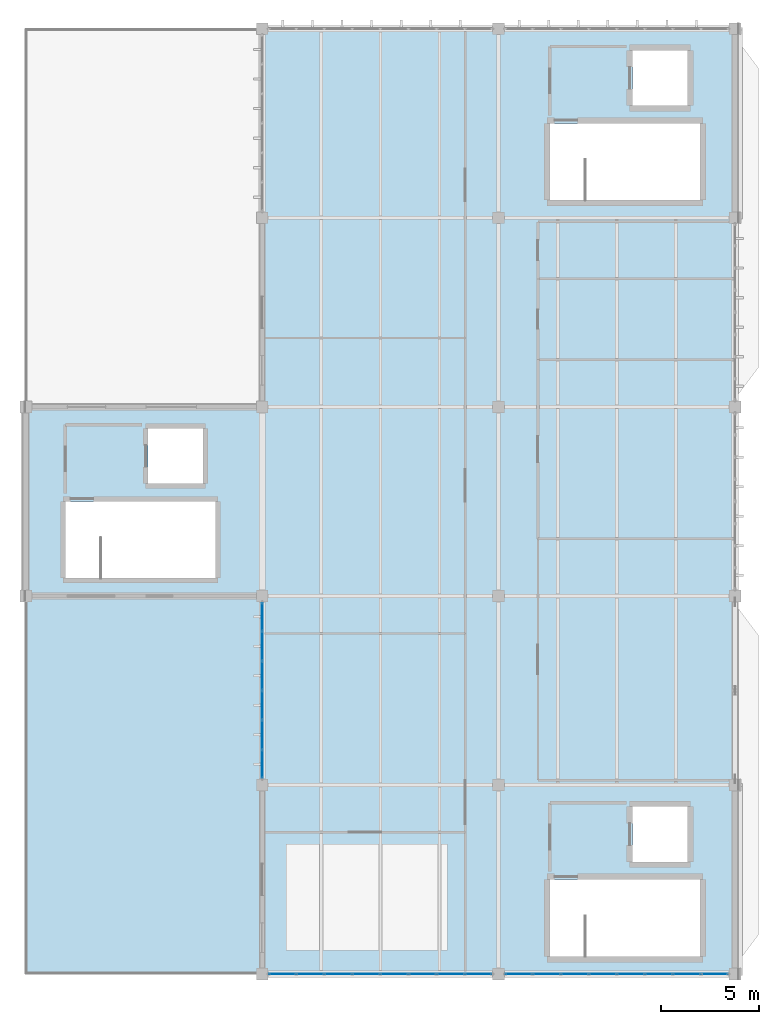
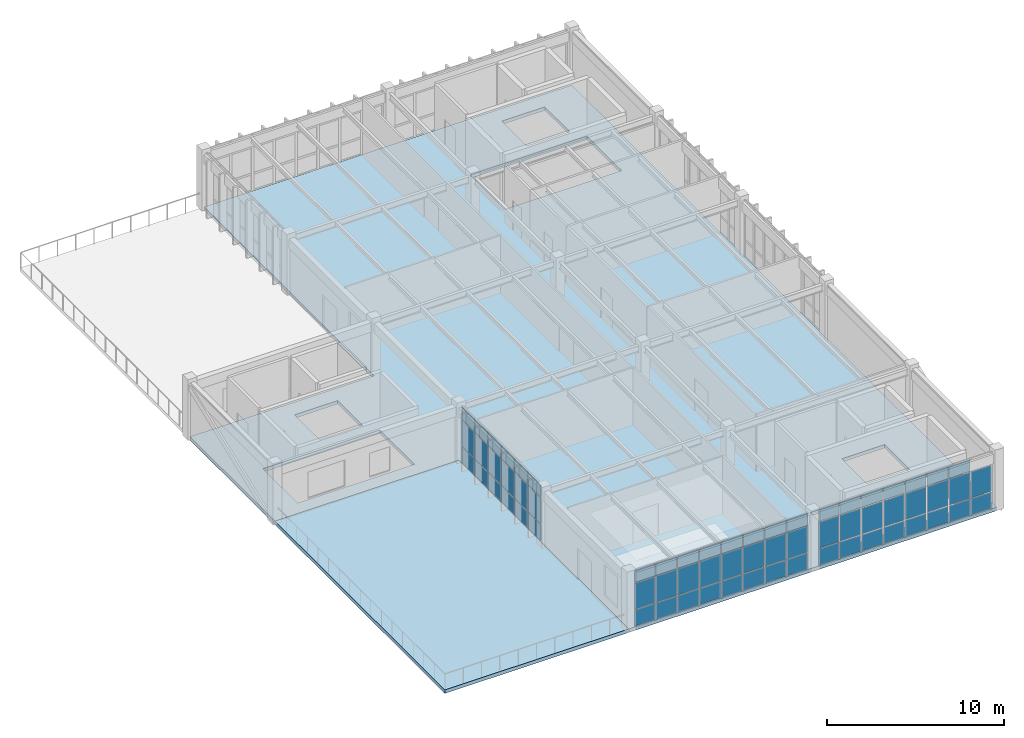
# One storey, part 20 of 28: 65 plates, 2 slabs, 3 elements without a shape of their own.
"""IFC4 building model written with IfcOpenShell, lengths in metres."""

from ifc_helpers import new_model, si_unit, direction, frame, origin, origin_2d, place, context, subcontext, project, spatial, polyline, rectangle, outline, extrude, material, layer, layer_set, type_object, element, aggregate, save


model = new_model("IFC4")

# Units and contexts
model_context = context("Model", 3, precision=1e-05, world=origin(), true_north=direction((0.0, 1.0)))
body_context = subcontext(model_context, "Body", "Model", "MODEL_VIEW")
ifc_project = project(units=[si_unit("LENGTHUNIT", "METRE"), si_unit("AREAUNIT", "SQUARE_METRE"), si_unit("VOLUMEUNIT", "CUBIC_METRE"), si_unit("PLANEANGLEUNIT", "RADIAN"), si_unit("MASSUNIT", "GRAM", prefix="KILO")], contexts=[model_context])

# Site, building, storey
site_placement = place(None, origin())
site = spatial("IfcSite", under=ifc_project, at=site_placement, CompositionType="ELEMENT")
building_placement = place(site_placement, origin())
building = spatial("IfcBuilding", under=site, at=building_placement, Name="Pandanus Reach Market Hall", CompositionType="ELEMENT")
storey_placement = place(building_placement, frame((0.0, 0.0, 18.60009765625)))
storey = spatial("IfcBuildingStorey", under=building, at=storey_placement, Name="L04", CompositionType="ELEMENT", Elevation=18.60009765625)

# Curtain wall, plates
ifc_material_1 = material(Name="Bronze anodised aluminium and low-E glass", Category="aluminium")
ifc_layer_1 = layer(ifc_material_1, 0.159912109375, Name="CW-35")
ifc_layer_set_1 = layer_set([ifc_layer_1], Name="Bronze anodised aluminium and low-E glass")
curtain_wall_type_1 = type_object("IfcCurtainWallType", Name="CW-35", PredefinedType="NOTDEFINED", material=ifc_layer_set_1)
curtain_wall_1_placement = place(storey_placement, origin())
curtain_wall_1 = element("IfcCurtainWall", 1, at=curtain_wall_1_placement, inside=storey, type_object=curtain_wall_type_1, Name="Glazed curtain wall CW-35 CW-0127", PredefinedType="NOTDEFINED")
ifc_material_2 = material(Name="Solar-control double glazing", Category="glass")
ifc_layer_2 = layer(ifc_material_2, 0.028076171875, Name="CW-P1")
ifc_layer_set_2 = layer_set([ifc_layer_2], Name="Solar-control double glazing")
plate_type = type_object("IfcPlateType", Name="CW-P1", PredefinedType="CURTAIN_PANEL", material=ifc_layer_set_2)
plate_1_placement = place(storey_placement, frame((157.02880859375, 28.800048828125, 0.06494140625), z_axis=(0.0, 0.0, 1.0), x_axis=(1.0, 0.0, 0.0)))
plate_1 = element("IfcPlate", 2, at=plate_1_placement, type_object=plate_type, Name="CW-35 panel 1.1", PredefinedType="CURTAIN_PANEL", context=body_context, shape_type="SweptSolid", body=[
    extrude(rectangle(XDim=1.327392578125, YDim=0.028076171875, at=origin_2d()), origin(), (0.0, 0.0, 1.0), 1.1025390625),
])
plate_2_placement = place(storey_placement, frame((157.02880859375, 28.800048828125, 1.232421875), z_axis=(0.0, 0.0, 1.0), x_axis=(1.0, 0.0, 0.0)))
plate_2 = element("IfcPlate", 3, at=plate_2_placement, type_object=plate_type, Name="CW-35 panel 1.2", PredefinedType="CURTAIN_PANEL", context=body_context, shape_type="SweptSolid", body=[
    extrude(rectangle(XDim=1.327392578125, YDim=0.028076171875, at=origin_2d()), origin(), (0.0, 0.0, 1.0), 1.784912109375),
])
plate_3_placement = place(storey_placement, frame((157.02880859375, 28.800048828125, 3.08251953125), z_axis=(0.0, 0.0, 1.0), x_axis=(1.0, 0.0, 0.0)))
plate_3 = element("IfcPlate", 4, at=plate_3_placement, type_object=plate_type, Name="CW-35 panel 1.3", PredefinedType="CURTAIN_PANEL", context=body_context, shape_type="SweptSolid", body=[
    extrude(rectangle(XDim=1.327392578125, YDim=0.028076171875, at=origin_2d()), origin(), (0.0, 0.0, 1.0), 0.802490234375),
])
plate_4_placement = place(storey_placement, frame((158.4375, 28.800048828125, 0.06494140625), z_axis=(0.0, 0.0, 1.0), x_axis=(1.0, 0.0, 0.0)))
plate_4 = element("IfcPlate", 5, at=plate_4_placement, type_object=plate_type, Name="CW-35 panel 2.1", PredefinedType="CURTAIN_PANEL", context=body_context, shape_type="SweptSolid", body=[
    extrude(rectangle(XDim=1.360107421875, YDim=0.028076171875, at=origin_2d()), origin(), (0.0, 0.0, 1.0), 1.1025390625),
])
plate_5_placement = place(storey_placement, frame((158.4375, 28.800048828125, 1.232421875), z_axis=(0.0, 0.0, 1.0), x_axis=(1.0, 0.0, 0.0)))
plate_5 = element("IfcPlate", 6, at=plate_5_placement, type_object=plate_type, Name="CW-35 panel 2.2", PredefinedType="CURTAIN_PANEL", context=body_context, shape_type="SweptSolid", body=[
    extrude(rectangle(XDim=1.360107421875, YDim=0.028076171875, at=origin_2d()), origin(), (0.0, 0.0, 1.0), 1.784912109375),
])
plate_6_placement = place(storey_placement, frame((158.4375, 28.800048828125, 3.08251953125), z_axis=(0.0, 0.0, 1.0), x_axis=(1.0, 0.0, 0.0)))
plate_6 = element("IfcPlate", 7, at=plate_6_placement, type_object=plate_type, Name="CW-35 panel 2.3", PredefinedType="CURTAIN_PANEL", context=body_context, shape_type="SweptSolid", body=[
    extrude(rectangle(XDim=1.360107421875, YDim=0.028076171875, at=origin_2d()), origin(), (0.0, 0.0, 1.0), 0.802490234375),
])
plate_7_placement = place(storey_placement, frame((159.862548828125, 28.800048828125, 0.06494140625), z_axis=(0.0, 0.0, 1.0), x_axis=(1.0, 0.0, 0.0)))
plate_7 = element("IfcPlate", 8, at=plate_7_placement, type_object=plate_type, Name="CW-35 panel 3.1", PredefinedType="CURTAIN_PANEL", context=body_context, shape_type="SweptSolid", body=[
    extrude(rectangle(XDim=1.360107421875, YDim=0.028076171875, at=origin_2d()), origin(), (0.0, 0.0, 1.0), 1.1025390625),
])
plate_8_placement = place(storey_placement, frame((159.862548828125, 28.800048828125, 1.232421875), z_axis=(0.0, 0.0, 1.0), x_axis=(1.0, 0.0, 0.0)))
plate_8 = element("IfcPlate", 9, at=plate_8_placement, type_object=plate_type, Name="CW-35 panel 3.2", PredefinedType="CURTAIN_PANEL", context=body_context, shape_type="SweptSolid", body=[
    extrude(rectangle(XDim=1.360107421875, YDim=0.028076171875, at=origin_2d()), origin(), (0.0, 0.0, 1.0), 1.784912109375),
])
plate_9_placement = place(storey_placement, frame((159.862548828125, 28.800048828125, 3.08251953125), z_axis=(0.0, 0.0, 1.0), x_axis=(1.0, 0.0, 0.0)))
plate_9 = element("IfcPlate", 10, at=plate_9_placement, type_object=plate_type, Name="CW-35 panel 3.3", PredefinedType="CURTAIN_PANEL", context=body_context, shape_type="SweptSolid", body=[
    extrude(rectangle(XDim=1.360107421875, YDim=0.028076171875, at=origin_2d()), origin(), (0.0, 0.0, 1.0), 0.802490234375),
])
plate_10_placement = place(storey_placement, frame((161.28759765625, 28.800048828125, 0.06494140625), z_axis=(0.0, 0.0, 1.0), x_axis=(1.0, 0.0, 0.0)))
plate_10 = element("IfcPlate", 11, at=plate_10_placement, type_object=plate_type, Name="CW-35 panel 4.1", PredefinedType="CURTAIN_PANEL", context=body_context, shape_type="SweptSolid", body=[
    extrude(rectangle(XDim=1.360107421875, YDim=0.028076171875, at=origin_2d()), origin(), (0.0, 0.0, 1.0), 1.1025390625),
])
plate_11_placement = place(storey_placement, frame((161.28759765625, 28.800048828125, 1.232421875), z_axis=(0.0, 0.0, 1.0), x_axis=(1.0, 0.0, 0.0)))
plate_11 = element("IfcPlate", 12, at=plate_11_placement, type_object=plate_type, Name="CW-35 panel 4.2", PredefinedType="CURTAIN_PANEL", context=body_context, shape_type="SweptSolid", body=[
    extrude(rectangle(XDim=1.360107421875, YDim=0.028076171875, at=origin_2d()), origin(), (0.0, 0.0, 1.0), 1.784912109375),
])
plate_12_placement = place(storey_placement, frame((161.28759765625, 28.800048828125, 3.08251953125), z_axis=(0.0, 0.0, 1.0), x_axis=(1.0, 0.0, 0.0)))
plate_12 = element("IfcPlate", 13, at=plate_12_placement, type_object=plate_type, Name="CW-35 panel 4.3", PredefinedType="CURTAIN_PANEL", context=body_context, shape_type="SweptSolid", body=[
    extrude(rectangle(XDim=1.360107421875, YDim=0.028076171875, at=origin_2d()), origin(), (0.0, 0.0, 1.0), 0.802490234375),
])
plate_13_placement = place(storey_placement, frame((162.71240234375, 28.800048828125, 0.06494140625), z_axis=(0.0, 0.0, 1.0), x_axis=(1.0, 0.0, 0.0)))
plate_13 = element("IfcPlate", 14, at=plate_13_placement, type_object=plate_type, Name="CW-35 panel 5.1", PredefinedType="CURTAIN_PANEL", context=body_context, shape_type="SweptSolid", body=[
    extrude(rectangle(XDim=1.360107421875, YDim=0.028076171875, at=origin_2d()), origin(), (0.0, 0.0, 1.0), 1.1025390625),
])
plate_14_placement = place(storey_placement, frame((162.71240234375, 28.800048828125, 1.232421875), z_axis=(0.0, 0.0, 1.0), x_axis=(1.0, 0.0, 0.0)))
plate_14 = element("IfcPlate", 15, at=plate_14_placement, type_object=plate_type, Name="CW-35 panel 5.2", PredefinedType="CURTAIN_PANEL", context=body_context, shape_type="SweptSolid", body=[
    extrude(rectangle(XDim=1.360107421875, YDim=0.028076171875, at=origin_2d()), origin(), (0.0, 0.0, 1.0), 1.784912109375),
])
plate_15_placement = place(storey_placement, frame((162.71240234375, 28.800048828125, 3.08251953125), z_axis=(0.0, 0.0, 1.0), x_axis=(1.0, 0.0, 0.0)))
plate_15 = element("IfcPlate", 16, at=plate_15_placement, type_object=plate_type, Name="CW-35 panel 5.3", PredefinedType="CURTAIN_PANEL", context=body_context, shape_type="SweptSolid", body=[
    extrude(rectangle(XDim=1.360107421875, YDim=0.028076171875, at=origin_2d()), origin(), (0.0, 0.0, 1.0), 0.802490234375),
])
plate_16_placement = place(storey_placement, frame((164.137451171875, 28.800048828125, 0.06494140625), z_axis=(0.0, 0.0, 1.0), x_axis=(1.0, 0.0, 0.0)))
plate_16 = element("IfcPlate", 17, at=plate_16_placement, type_object=plate_type, Name="CW-35 panel 6.1", PredefinedType="CURTAIN_PANEL", context=body_context, shape_type="SweptSolid", body=[
    extrude(rectangle(XDim=1.360107421875, YDim=0.028076171875, at=origin_2d()), origin(), (0.0, 0.0, 1.0), 1.1025390625),
])
plate_17_placement = place(storey_placement, frame((164.137451171875, 28.800048828125, 1.232421875), z_axis=(0.0, 0.0, 1.0), x_axis=(1.0, 0.0, 0.0)))
plate_17 = element("IfcPlate", 18, at=plate_17_placement, type_object=plate_type, Name="CW-35 panel 6.2", PredefinedType="CURTAIN_PANEL", context=body_context, shape_type="SweptSolid", body=[
    extrude(rectangle(XDim=1.360107421875, YDim=0.028076171875, at=origin_2d()), origin(), (0.0, 0.0, 1.0), 1.784912109375),
])
plate_18_placement = place(storey_placement, frame((164.137451171875, 28.800048828125, 3.08251953125), z_axis=(0.0, 0.0, 1.0), x_axis=(1.0, 0.0, 0.0)))
plate_18 = element("IfcPlate", 19, at=plate_18_placement, type_object=plate_type, Name="CW-35 panel 6.3", PredefinedType="CURTAIN_PANEL", context=body_context, shape_type="SweptSolid", body=[
    extrude(rectangle(XDim=1.360107421875, YDim=0.028076171875, at=origin_2d()), origin(), (0.0, 0.0, 1.0), 0.802490234375),
])
plate_19_placement = place(storey_placement, frame((165.5625, 28.800048828125, 0.06494140625), z_axis=(0.0, 0.0, 1.0), x_axis=(1.0, 0.0, 0.0)))
plate_19 = element("IfcPlate", 20, at=plate_19_placement, type_object=plate_type, Name="CW-35 panel 7.1", PredefinedType="CURTAIN_PANEL", context=body_context, shape_type="SweptSolid", body=[
    extrude(rectangle(XDim=1.360107421875, YDim=0.028076171875, at=origin_2d()), origin(), (0.0, 0.0, 1.0), 1.1025390625),
])
plate_20_placement = place(storey_placement, frame((165.5625, 28.800048828125, 1.232421875), z_axis=(0.0, 0.0, 1.0), x_axis=(1.0, 0.0, 0.0)))
plate_20 = element("IfcPlate", 21, at=plate_20_placement, type_object=plate_type, Name="CW-35 panel 7.2", PredefinedType="CURTAIN_PANEL", context=body_context, shape_type="SweptSolid", body=[
    extrude(rectangle(XDim=1.360107421875, YDim=0.028076171875, at=origin_2d()), origin(), (0.0, 0.0, 1.0), 1.784912109375),
])
plate_21_placement = place(storey_placement, frame((165.5625, 28.800048828125, 3.08251953125), z_axis=(0.0, 0.0, 1.0), x_axis=(1.0, 0.0, 0.0)))
plate_21 = element("IfcPlate", 22, at=plate_21_placement, type_object=plate_type, Name="CW-35 panel 7.3", PredefinedType="CURTAIN_PANEL", context=body_context, shape_type="SweptSolid", body=[
    extrude(rectangle(XDim=1.360107421875, YDim=0.028076171875, at=origin_2d()), origin(), (0.0, 0.0, 1.0), 0.802490234375),
])
plate_22_placement = place(storey_placement, frame((166.97119140625, 28.800048828125, 0.06494140625), z_axis=(0.0, 0.0, 1.0), x_axis=(1.0, 0.0, 0.0)))
plate_22 = element("IfcPlate", 23, at=plate_22_placement, type_object=plate_type, Name="CW-35 panel 8.1", PredefinedType="CURTAIN_PANEL", context=body_context, shape_type="SweptSolid", body=[
    extrude(rectangle(XDim=1.327392578125, YDim=0.028076171875, at=origin_2d()), origin(), (0.0, 0.0, 1.0), 1.1025390625),
])
plate_23_placement = place(storey_placement, frame((166.97119140625, 28.800048828125, 1.232421875), z_axis=(0.0, 0.0, 1.0), x_axis=(1.0, 0.0, 0.0)))
plate_23 = element("IfcPlate", 24, at=plate_23_placement, type_object=plate_type, Name="CW-35 panel 8.2", PredefinedType="CURTAIN_PANEL", context=body_context, shape_type="SweptSolid", body=[
    extrude(rectangle(XDim=1.327392578125, YDim=0.028076171875, at=origin_2d()), origin(), (0.0, 0.0, 1.0), 1.784912109375),
])
plate_24_placement = place(storey_placement, frame((166.97119140625, 28.800048828125, 3.08251953125), z_axis=(0.0, 0.0, 1.0), x_axis=(1.0, 0.0, 0.0)))
plate_24 = element("IfcPlate", 25, at=plate_24_placement, type_object=plate_type, Name="CW-35 panel 8.3", PredefinedType="CURTAIN_PANEL", context=body_context, shape_type="SweptSolid", body=[
    extrude(rectangle(XDim=1.327392578125, YDim=0.028076171875, at=origin_2d()), origin(), (0.0, 0.0, 1.0), 0.802490234375),
])
aggregate(curtain_wall_1, [plate_1, plate_2, plate_3, plate_4, plate_5, plate_6, plate_7, plate_8, plate_9, plate_10, plate_11, plate_12, plate_13, plate_14, plate_15, plate_16, plate_17, plate_18, plate_19, plate_20, plate_21, plate_22, plate_23, plate_24])

curtain_wall_2_placement = place(storey_placement, origin())
curtain_wall_2 = element("IfcCurtainWall", 26, at=curtain_wall_2_placement, inside=storey, type_object=curtain_wall_type_1, Name="Glazed curtain wall CW-35 CW-0129", PredefinedType="NOTDEFINED")
plate_25_placement = place(storey_placement, frame((169.02880859375, 28.800048828125, 0.06494140625), z_axis=(0.0, 0.0, 1.0), x_axis=(1.0, 0.0, 0.0)))
plate_25 = element("IfcPlate", 27, at=plate_25_placement, type_object=plate_type, Name="CW-35 panel 1.1", PredefinedType="CURTAIN_PANEL", context=body_context, shape_type="SweptSolid", body=[
    extrude(rectangle(XDim=1.327392578125, YDim=0.028076171875, at=origin_2d()), origin(), (0.0, 0.0, 1.0), 1.1025390625),
])
plate_26_placement = place(storey_placement, frame((169.02880859375, 28.800048828125, 1.232421875), z_axis=(0.0, 0.0, 1.0), x_axis=(1.0, 0.0, 0.0)))
plate_26 = element("IfcPlate", 28, at=plate_26_placement, type_object=plate_type, Name="CW-35 panel 1.2", PredefinedType="CURTAIN_PANEL", context=body_context, shape_type="SweptSolid", body=[
    extrude(rectangle(XDim=1.327392578125, YDim=0.028076171875, at=origin_2d()), origin(), (0.0, 0.0, 1.0), 1.784912109375),
])
plate_27_placement = place(storey_placement, frame((169.02880859375, 28.800048828125, 3.08251953125), z_axis=(0.0, 0.0, 1.0), x_axis=(1.0, 0.0, 0.0)))
plate_27 = element("IfcPlate", 29, at=plate_27_placement, type_object=plate_type, Name="CW-35 panel 1.3", PredefinedType="CURTAIN_PANEL", context=body_context, shape_type="SweptSolid", body=[
    extrude(rectangle(XDim=1.327392578125, YDim=0.028076171875, at=origin_2d()), origin(), (0.0, 0.0, 1.0), 0.802490234375),
])
plate_28_placement = place(storey_placement, frame((170.4375, 28.800048828125, 0.06494140625), z_axis=(0.0, 0.0, 1.0), x_axis=(1.0, 0.0, 0.0)))
plate_28 = element("IfcPlate", 30, at=plate_28_placement, type_object=plate_type, Name="CW-35 panel 2.1", PredefinedType="CURTAIN_PANEL", context=body_context, shape_type="SweptSolid", body=[
    extrude(rectangle(XDim=1.360107421875, YDim=0.028076171875, at=origin_2d()), origin(), (0.0, 0.0, 1.0), 1.1025390625),
])
plate_29_placement = place(storey_placement, frame((170.4375, 28.800048828125, 1.232421875), z_axis=(0.0, 0.0, 1.0), x_axis=(1.0, 0.0, 0.0)))
plate_29 = element("IfcPlate", 31, at=plate_29_placement, type_object=plate_type, Name="CW-35 panel 2.2", PredefinedType="CURTAIN_PANEL", context=body_context, shape_type="SweptSolid", body=[
    extrude(rectangle(XDim=1.360107421875, YDim=0.028076171875, at=origin_2d()), origin(), (0.0, 0.0, 1.0), 1.784912109375),
])
plate_30_placement = place(storey_placement, frame((170.4375, 28.800048828125, 3.08251953125), z_axis=(0.0, 0.0, 1.0), x_axis=(1.0, 0.0, 0.0)))
plate_30 = element("IfcPlate", 32, at=plate_30_placement, type_object=plate_type, Name="CW-35 panel 2.3", PredefinedType="CURTAIN_PANEL", context=body_context, shape_type="SweptSolid", body=[
    extrude(rectangle(XDim=1.360107421875, YDim=0.028076171875, at=origin_2d()), origin(), (0.0, 0.0, 1.0), 0.802490234375),
])
plate_31_placement = place(storey_placement, frame((171.862548828125, 28.800048828125, 0.06494140625), z_axis=(0.0, 0.0, 1.0), x_axis=(1.0, 0.0, 0.0)))
plate_31 = element("IfcPlate", 33, at=plate_31_placement, type_object=plate_type, Name="CW-35 panel 3.1", PredefinedType="CURTAIN_PANEL", context=body_context, shape_type="SweptSolid", body=[
    extrude(rectangle(XDim=1.360107421875, YDim=0.028076171875, at=origin_2d()), origin(), (0.0, 0.0, 1.0), 1.1025390625),
])
plate_32_placement = place(storey_placement, frame((171.862548828125, 28.800048828125, 1.232421875), z_axis=(0.0, 0.0, 1.0), x_axis=(1.0, 0.0, 0.0)))
plate_32 = element("IfcPlate", 34, at=plate_32_placement, type_object=plate_type, Name="CW-35 panel 3.2", PredefinedType="CURTAIN_PANEL", context=body_context, shape_type="SweptSolid", body=[
    extrude(rectangle(XDim=1.360107421875, YDim=0.028076171875, at=origin_2d()), origin(), (0.0, 0.0, 1.0), 1.784912109375),
])
plate_33_placement = place(storey_placement, frame((171.862548828125, 28.800048828125, 3.08251953125), z_axis=(0.0, 0.0, 1.0), x_axis=(1.0, 0.0, 0.0)))
plate_33 = element("IfcPlate", 35, at=plate_33_placement, type_object=plate_type, Name="CW-35 panel 3.3", PredefinedType="CURTAIN_PANEL", context=body_context, shape_type="SweptSolid", body=[
    extrude(rectangle(XDim=1.360107421875, YDim=0.028076171875, at=origin_2d()), origin(), (0.0, 0.0, 1.0), 0.802490234375),
])
plate_34_placement = place(storey_placement, frame((173.28759765625, 28.800048828125, 0.06494140625), z_axis=(0.0, 0.0, 1.0), x_axis=(1.0, 0.0, 0.0)))
plate_34 = element("IfcPlate", 36, at=plate_34_placement, type_object=plate_type, Name="CW-35 panel 4.1", PredefinedType="CURTAIN_PANEL", context=body_context, shape_type="SweptSolid", body=[
    extrude(rectangle(XDim=1.360107421875, YDim=0.028076171875, at=origin_2d()), origin(), (0.0, 0.0, 1.0), 1.1025390625),
])
plate_35_placement = place(storey_placement, frame((173.28759765625, 28.800048828125, 1.232421875), z_axis=(0.0, 0.0, 1.0), x_axis=(1.0, 0.0, 0.0)))
plate_35 = element("IfcPlate", 37, at=plate_35_placement, type_object=plate_type, Name="CW-35 panel 4.2", PredefinedType="CURTAIN_PANEL", context=body_context, shape_type="SweptSolid", body=[
    extrude(rectangle(XDim=1.360107421875, YDim=0.028076171875, at=origin_2d()), origin(), (0.0, 0.0, 1.0), 1.784912109375),
])
plate_36_placement = place(storey_placement, frame((173.28759765625, 28.800048828125, 3.08251953125), z_axis=(0.0, 0.0, 1.0), x_axis=(1.0, 0.0, 0.0)))
plate_36 = element("IfcPlate", 38, at=plate_36_placement, type_object=plate_type, Name="CW-35 panel 4.3", PredefinedType="CURTAIN_PANEL", context=body_context, shape_type="SweptSolid", body=[
    extrude(rectangle(XDim=1.360107421875, YDim=0.028076171875, at=origin_2d()), origin(), (0.0, 0.0, 1.0), 0.802490234375),
])
plate_37_placement = place(storey_placement, frame((174.71240234375, 28.800048828125, 0.06494140625), z_axis=(0.0, 0.0, 1.0), x_axis=(1.0, 0.0, 0.0)))
plate_37 = element("IfcPlate", 39, at=plate_37_placement, type_object=plate_type, Name="CW-35 panel 5.1", PredefinedType="CURTAIN_PANEL", context=body_context, shape_type="SweptSolid", body=[
    extrude(rectangle(XDim=1.360107421875, YDim=0.028076171875, at=origin_2d()), origin(), (0.0, 0.0, 1.0), 1.1025390625),
])
plate_38_placement = place(storey_placement, frame((174.71240234375, 28.800048828125, 1.232421875), z_axis=(0.0, 0.0, 1.0), x_axis=(1.0, 0.0, 0.0)))
plate_38 = element("IfcPlate", 40, at=plate_38_placement, type_object=plate_type, Name="CW-35 panel 5.2", PredefinedType="CURTAIN_PANEL", context=body_context, shape_type="SweptSolid", body=[
    extrude(rectangle(XDim=1.360107421875, YDim=0.028076171875, at=origin_2d()), origin(), (0.0, 0.0, 1.0), 1.784912109375),
])
plate_39_placement = place(storey_placement, frame((174.71240234375, 28.800048828125, 3.08251953125), z_axis=(0.0, 0.0, 1.0), x_axis=(1.0, 0.0, 0.0)))
plate_39 = element("IfcPlate", 41, at=plate_39_placement, type_object=plate_type, Name="CW-35 panel 5.3", PredefinedType="CURTAIN_PANEL", context=body_context, shape_type="SweptSolid", body=[
    extrude(rectangle(XDim=1.360107421875, YDim=0.028076171875, at=origin_2d()), origin(), (0.0, 0.0, 1.0), 0.802490234375),
])
plate_40_placement = place(storey_placement, frame((176.137451171875, 28.800048828125, 0.06494140625), z_axis=(0.0, 0.0, 1.0), x_axis=(1.0, 0.0, 0.0)))
plate_40 = element("IfcPlate", 42, at=plate_40_placement, type_object=plate_type, Name="CW-35 panel 6.1", PredefinedType="CURTAIN_PANEL", context=body_context, shape_type="SweptSolid", body=[
    extrude(rectangle(XDim=1.360107421875, YDim=0.028076171875, at=origin_2d()), origin(), (0.0, 0.0, 1.0), 1.1025390625),
])
plate_41_placement = place(storey_placement, frame((176.137451171875, 28.800048828125, 1.232421875), z_axis=(0.0, 0.0, 1.0), x_axis=(1.0, 0.0, 0.0)))
plate_41 = element("IfcPlate", 43, at=plate_41_placement, type_object=plate_type, Name="CW-35 panel 6.2", PredefinedType="CURTAIN_PANEL", context=body_context, shape_type="SweptSolid", body=[
    extrude(rectangle(XDim=1.360107421875, YDim=0.028076171875, at=origin_2d()), origin(), (0.0, 0.0, 1.0), 1.784912109375),
])
plate_42_placement = place(storey_placement, frame((176.137451171875, 28.800048828125, 3.08251953125), z_axis=(0.0, 0.0, 1.0), x_axis=(1.0, 0.0, 0.0)))
plate_42 = element("IfcPlate", 44, at=plate_42_placement, type_object=plate_type, Name="CW-35 panel 6.3", PredefinedType="CURTAIN_PANEL", context=body_context, shape_type="SweptSolid", body=[
    extrude(rectangle(XDim=1.360107421875, YDim=0.028076171875, at=origin_2d()), origin(), (0.0, 0.0, 1.0), 0.802490234375),
])
plate_43_placement = place(storey_placement, frame((177.5625, 28.800048828125, 0.06494140625), z_axis=(0.0, 0.0, 1.0), x_axis=(1.0, 0.0, 0.0)))
plate_43 = element("IfcPlate", 45, at=plate_43_placement, type_object=plate_type, Name="CW-35 panel 7.1", PredefinedType="CURTAIN_PANEL", context=body_context, shape_type="SweptSolid", body=[
    extrude(rectangle(XDim=1.360107421875, YDim=0.028076171875, at=origin_2d()), origin(), (0.0, 0.0, 1.0), 1.1025390625),
])
plate_44_placement = place(storey_placement, frame((177.5625, 28.800048828125, 1.232421875), z_axis=(0.0, 0.0, 1.0), x_axis=(1.0, 0.0, 0.0)))
plate_44 = element("IfcPlate", 46, at=plate_44_placement, type_object=plate_type, Name="CW-35 panel 7.2", PredefinedType="CURTAIN_PANEL", context=body_context, shape_type="SweptSolid", body=[
    extrude(rectangle(XDim=1.360107421875, YDim=0.028076171875, at=origin_2d()), origin(), (0.0, 0.0, 1.0), 1.784912109375),
])
plate_45_placement = place(storey_placement, frame((177.5625, 28.800048828125, 3.08251953125), z_axis=(0.0, 0.0, 1.0), x_axis=(1.0, 0.0, 0.0)))
plate_45 = element("IfcPlate", 47, at=plate_45_placement, type_object=plate_type, Name="CW-35 panel 7.3", PredefinedType="CURTAIN_PANEL", context=body_context, shape_type="SweptSolid", body=[
    extrude(rectangle(XDim=1.360107421875, YDim=0.028076171875, at=origin_2d()), origin(), (0.0, 0.0, 1.0), 0.802490234375),
])
plate_46_placement = place(storey_placement, frame((178.97119140625, 28.800048828125, 0.06494140625), z_axis=(0.0, 0.0, 1.0), x_axis=(1.0, 0.0, 0.0)))
plate_46 = element("IfcPlate", 48, at=plate_46_placement, type_object=plate_type, Name="CW-35 panel 8.1", PredefinedType="CURTAIN_PANEL", context=body_context, shape_type="SweptSolid", body=[
    extrude(rectangle(XDim=1.327392578125, YDim=0.028076171875, at=origin_2d()), origin(), (0.0, 0.0, 1.0), 1.1025390625),
])
plate_47_placement = place(storey_placement, frame((178.97119140625, 28.800048828125, 1.232421875), z_axis=(0.0, 0.0, 1.0), x_axis=(1.0, 0.0, 0.0)))
plate_47 = element("IfcPlate", 49, at=plate_47_placement, type_object=plate_type, Name="CW-35 panel 8.2", PredefinedType="CURTAIN_PANEL", context=body_context, shape_type="SweptSolid", body=[
    extrude(rectangle(XDim=1.327392578125, YDim=0.028076171875, at=origin_2d()), origin(), (0.0, 0.0, 1.0), 1.784912109375),
])
aggregate(curtain_wall_2, [plate_25, plate_26, plate_27, plate_28, plate_29, plate_30, plate_31, plate_32, plate_33, plate_34, plate_35, plate_36, plate_37, plate_38, plate_39, plate_40, plate_41, plate_42, plate_43, plate_44, plate_45, plate_46, plate_47])

ifc_layer_3 = layer(ifc_material_1, 0.159912109375, Name="CW-37")
ifc_layer_set_3 = layer_set([ifc_layer_3], Name="Bronze anodised aluminium and low-E glass")
curtain_wall_type_2 = type_object("IfcCurtainWallType", Name="CW-37", PredefinedType="NOTDEFINED", material=ifc_layer_set_3)
curtain_wall_3_placement = place(storey_placement, origin())
curtain_wall_3 = element("IfcCurtainWall", 50, at=curtain_wall_3_placement, inside=storey, type_object=curtain_wall_type_2, Name="Glazed curtain wall CW-37 CW-0133", PredefinedType="NOTDEFINED")
plate_48_placement = place(storey_placement, frame((156.0, 39.46630859375, 0.06494140625), z_axis=(0.0, 0.0, 1.0), x_axis=(0.0, 1.0, 0.0)))
plate_48 = element("IfcPlate", 51, at=plate_48_placement, type_object=plate_type, Name="CW-37 panel 1.1", PredefinedType="CURTAIN_PANEL", context=body_context, shape_type="SweptSolid", body=[
    extrude(rectangle(XDim=1.402587890625, YDim=0.028076171875, at=origin_2d()), origin(), (0.0, 0.0, 1.0), 1.1025390625),
])
plate_49_placement = place(storey_placement, frame((156.0, 39.46630859375, 1.232421875), z_axis=(0.0, 0.0, 1.0), x_axis=(0.0, 1.0, 0.0)))
plate_49 = element("IfcPlate", 52, at=plate_49_placement, type_object=plate_type, Name="CW-37 panel 1.2", PredefinedType="CURTAIN_PANEL", context=body_context, shape_type="SweptSolid", body=[
    extrude(rectangle(XDim=1.402587890625, YDim=0.028076171875, at=origin_2d()), origin(), (0.0, 0.0, 1.0), 1.784912109375),
])
plate_50_placement = place(storey_placement, frame((156.0, 39.46630859375, 3.08251953125), z_axis=(0.0, 0.0, 1.0), x_axis=(0.0, 1.0, 0.0)))
plate_50 = element("IfcPlate", 53, at=plate_50_placement, type_object=plate_type, Name="CW-37 panel 1.3", PredefinedType="CURTAIN_PANEL", context=body_context, shape_type="SweptSolid", body=[
    extrude(rectangle(XDim=1.402587890625, YDim=0.028076171875, at=origin_2d()), origin(), (0.0, 0.0, 1.0), 0.802490234375),
])
plate_51_placement = place(storey_placement, frame((156.0, 40.949951171875, 0.06494140625), z_axis=(0.0, 0.0, 1.0), x_axis=(0.0, 1.0, 0.0)))
plate_51 = element("IfcPlate", 54, at=plate_51_placement, type_object=plate_type, Name="CW-37 panel 2.1", PredefinedType="CURTAIN_PANEL", context=body_context, shape_type="SweptSolid", body=[
    extrude(rectangle(XDim=1.43505859375, YDim=0.028076171875, at=origin_2d()), origin(), (0.0, 0.0, 1.0), 1.1025390625),
])
plate_52_placement = place(storey_placement, frame((156.0, 40.949951171875, 1.232421875), z_axis=(0.0, 0.0, 1.0), x_axis=(0.0, 1.0, 0.0)))
plate_52 = element("IfcPlate", 55, at=plate_52_placement, type_object=plate_type, Name="CW-37 panel 2.2", PredefinedType="CURTAIN_PANEL", context=body_context, shape_type="SweptSolid", body=[
    extrude(rectangle(XDim=1.43505859375, YDim=0.028076171875, at=origin_2d()), origin(), (0.0, 0.0, 1.0), 1.784912109375),
])
plate_53_placement = place(storey_placement, frame((156.0, 40.949951171875, 3.08251953125), z_axis=(0.0, 0.0, 1.0), x_axis=(0.0, 1.0, 0.0)))
plate_53 = element("IfcPlate", 56, at=plate_53_placement, type_object=plate_type, Name="CW-37 panel 2.3", PredefinedType="CURTAIN_PANEL", context=body_context, shape_type="SweptSolid", body=[
    extrude(rectangle(XDim=1.43505859375, YDim=0.028076171875, at=origin_2d()), origin(), (0.0, 0.0, 1.0), 0.802490234375),
])
plate_54_placement = place(storey_placement, frame((156.0, 42.449951171875, 0.06494140625), z_axis=(0.0, 0.0, 1.0), x_axis=(0.0, 1.0, 0.0)))
plate_54 = element("IfcPlate", 57, at=plate_54_placement, type_object=plate_type, Name="CW-37 panel 3.1", PredefinedType="CURTAIN_PANEL", context=body_context, shape_type="SweptSolid", body=[
    extrude(rectangle(XDim=1.43505859375, YDim=0.028076171875, at=origin_2d()), origin(), (0.0, 0.0, 1.0), 1.1025390625),
])
plate_55_placement = place(storey_placement, frame((156.0, 42.449951171875, 1.232421875), z_axis=(0.0, 0.0, 1.0), x_axis=(0.0, 1.0, 0.0)))
plate_55 = element("IfcPlate", 58, at=plate_55_placement, type_object=plate_type, Name="CW-37 panel 3.2", PredefinedType="CURTAIN_PANEL", context=body_context, shape_type="SweptSolid", body=[
    extrude(rectangle(XDim=1.43505859375, YDim=0.028076171875, at=origin_2d()), origin(), (0.0, 0.0, 1.0), 1.784912109375),
])
plate_56_placement = place(storey_placement, frame((156.0, 42.449951171875, 3.08251953125), z_axis=(0.0, 0.0, 1.0), x_axis=(0.0, 1.0, 0.0)))
plate_56 = element("IfcPlate", 59, at=plate_56_placement, type_object=plate_type, Name="CW-37 panel 3.3", PredefinedType="CURTAIN_PANEL", context=body_context, shape_type="SweptSolid", body=[
    extrude(rectangle(XDim=1.43505859375, YDim=0.028076171875, at=origin_2d()), origin(), (0.0, 0.0, 1.0), 0.802490234375),
])
plate_57_placement = place(storey_placement, frame((156.0, 43.949951171875, 0.06494140625), z_axis=(0.0, 0.0, 1.0), x_axis=(0.0, 1.0, 0.0)))
plate_57 = element("IfcPlate", 60, at=plate_57_placement, type_object=plate_type, Name="CW-37 panel 4.1", PredefinedType="CURTAIN_PANEL", context=body_context, shape_type="SweptSolid", body=[
    extrude(rectangle(XDim=1.43505859375, YDim=0.028076171875, at=origin_2d()), origin(), (0.0, 0.0, 1.0), 1.1025390625),
])
plate_58_placement = place(storey_placement, frame((156.0, 43.949951171875, 1.232421875), z_axis=(0.0, 0.0, 1.0), x_axis=(0.0, 1.0, 0.0)))
plate_58 = element("IfcPlate", 61, at=plate_58_placement, type_object=plate_type, Name="CW-37 panel 4.2", PredefinedType="CURTAIN_PANEL", context=body_context, shape_type="SweptSolid", body=[
    extrude(rectangle(XDim=1.43505859375, YDim=0.028076171875, at=origin_2d()), origin(), (0.0, 0.0, 1.0), 1.784912109375),
])
plate_59_placement = place(storey_placement, frame((156.0, 43.949951171875, 3.08251953125), z_axis=(0.0, 0.0, 1.0), x_axis=(0.0, 1.0, 0.0)))
plate_59 = element("IfcPlate", 62, at=plate_59_placement, type_object=plate_type, Name="CW-37 panel 4.3", PredefinedType="CURTAIN_PANEL", context=body_context, shape_type="SweptSolid", body=[
    extrude(rectangle(XDim=1.43505859375, YDim=0.028076171875, at=origin_2d()), origin(), (0.0, 0.0, 1.0), 0.802490234375),
])
plate_60_placement = place(storey_placement, frame((156.0, 45.449951171875, 0.06494140625), z_axis=(0.0, 0.0, 1.0), x_axis=(0.0, 1.0, 0.0)))
plate_60 = element("IfcPlate", 63, at=plate_60_placement, type_object=plate_type, Name="CW-37 panel 5.1", PredefinedType="CURTAIN_PANEL", context=body_context, shape_type="SweptSolid", body=[
    extrude(rectangle(XDim=1.43505859375, YDim=0.028076171875, at=origin_2d()), origin(), (0.0, 0.0, 1.0), 1.1025390625),
])
plate_61_placement = place(storey_placement, frame((156.0, 45.449951171875, 1.232421875), z_axis=(0.0, 0.0, 1.0), x_axis=(0.0, 1.0, 0.0)))
plate_61 = element("IfcPlate", 64, at=plate_61_placement, type_object=plate_type, Name="CW-37 panel 5.2", PredefinedType="CURTAIN_PANEL", context=body_context, shape_type="SweptSolid", body=[
    extrude(rectangle(XDim=1.43505859375, YDim=0.028076171875, at=origin_2d()), origin(), (0.0, 0.0, 1.0), 1.784912109375),
])
plate_62_placement = place(storey_placement, frame((156.0, 45.449951171875, 3.08251953125), z_axis=(0.0, 0.0, 1.0), x_axis=(0.0, 1.0, 0.0)))
plate_62 = element("IfcPlate", 65, at=plate_62_placement, type_object=plate_type, Name="CW-37 panel 5.3", PredefinedType="CURTAIN_PANEL", context=body_context, shape_type="SweptSolid", body=[
    extrude(rectangle(XDim=1.43505859375, YDim=0.028076171875, at=origin_2d()), origin(), (0.0, 0.0, 1.0), 0.802490234375),
])
plate_63_placement = place(storey_placement, frame((156.0, 46.933837890625, 0.06494140625), z_axis=(0.0, 0.0, 1.0), x_axis=(0.0, 1.0, 0.0)))
plate_63 = element("IfcPlate", 66, at=plate_63_placement, type_object=plate_type, Name="CW-37 panel 6.1", PredefinedType="CURTAIN_PANEL", context=body_context, shape_type="SweptSolid", body=[
    extrude(rectangle(XDim=1.402587890625, YDim=0.028076171875, at=origin_2d()), origin(), (0.0, 0.0, 1.0), 1.1025390625),
])
plate_64_placement = place(storey_placement, frame((156.0, 46.933837890625, 1.232421875), z_axis=(0.0, 0.0, 1.0), x_axis=(0.0, 1.0, 0.0)))
plate_64 = element("IfcPlate", 67, at=plate_64_placement, type_object=plate_type, Name="CW-37 panel 6.2", PredefinedType="CURTAIN_PANEL", context=body_context, shape_type="SweptSolid", body=[
    extrude(rectangle(XDim=1.402587890625, YDim=0.028076171875, at=origin_2d()), origin(), (0.0, 0.0, 1.0), 1.784912109375),
])
plate_65_placement = place(storey_placement, frame((156.0, 46.933837890625, 3.08251953125), z_axis=(0.0, 0.0, 1.0), x_axis=(0.0, 1.0, 0.0)))
plate_65 = element("IfcPlate", 68, at=plate_65_placement, type_object=plate_type, Name="CW-37 panel 6.3", PredefinedType="CURTAIN_PANEL", context=body_context, shape_type="SweptSolid", body=[
    extrude(rectangle(XDim=1.402587890625, YDim=0.028076171875, at=origin_2d()), origin(), (0.0, 0.0, 1.0), 0.802490234375),
])
aggregate(curtain_wall_3, [plate_48, plate_49, plate_50, plate_51, plate_52, plate_53, plate_54, plate_55, plate_56, plate_57, plate_58, plate_59, plate_60, plate_61, plate_62, plate_63, plate_64, plate_65])

# Slabs
ifc_material_3 = material(Name="Concrete N40 (40 MPa)", Category="concrete")
ifc_layer_4 = layer(ifc_material_3, 0.2451171875, Name="SL-EXT-GDN")
ifc_layer_set_4 = layer_set([ifc_layer_4], Name="Concrete N40 (40 MPa)")
slab_type_1 = type_object("IfcSlabType", Name="SL-EXT-GDN", PredefinedType="FLOOR", material=ifc_layer_set_4)
slab_1_placement = place(storey_placement, frame((0.0, 0.0, -0.2451171875)))
element("IfcSlab", 69, at=slab_1_placement, inside=storey, type_object=slab_type_1, Name="South Rooftop Kitchen Garden Terrace L04", PredefinedType="FLOOR", context=body_context, shape_type="SweptSolid", body=[
    extrude(outline(polyline([(144.0, 28.800048828125), (156.0, 28.800048828125), (156.0, 48.0), (144.0, 48.0), (144.0, 28.800048828125)])), origin(), (0.0, 0.0, 1.0), 0.2451171875),
])
ifc_layer_5 = layer(ifc_material_3, 0.239990234375, Name="SL-L04-TH")
ifc_layer_set_5 = layer_set([ifc_layer_5], Name="Concrete N40 (40 MPa)")
slab_type_2 = type_object("IfcSlabType", Name="SL-L04-TH", PredefinedType="FLOOR", material=ifc_layer_set_5)
slab_2_placement = place(storey_placement, frame((0.0, 0.0, -0.239990234375)))
element("IfcSlab", 70, at=slab_2_placement, inside=storey, type_object=slab_type_2, Name="Floor slab SL-L04-V4", PredefinedType="FLOOR", context=body_context, shape_type="SweptSolid", body=[
    extrude(outline(polyline([(156.0, 28.800048828125), (180.0, 28.800048828125), (180.0, 76.800048828125), (156.0, 76.800048828125), (156.0, 57.60009765625), (144.0, 57.60009765625), (144.0, 48.0), (156.0, 48.0), (156.0, 28.800048828125)]), holes=[polyline([(170.60009765625, 29.699951171875), (178.219970703125, 29.699951171875), (178.219970703125, 33.60009765625), (170.60009765625, 33.60009765625), (170.60009765625, 29.699951171875)]), polyline([(174.800048828125, 34.5), (177.60009765625, 34.5), (177.60009765625, 37.300048828125), (174.800048828125, 37.300048828125), (174.800048828125, 34.5)]), polyline([(170.60009765625, 68.10009765625), (178.219970703125, 68.10009765625), (178.219970703125, 72.0), (170.60009765625, 72.0), (170.60009765625, 68.10009765625)]), polyline([(174.800048828125, 72.89990234375), (177.60009765625, 72.89990234375), (177.60009765625, 75.699951171875), (174.800048828125, 75.699951171875), (174.800048828125, 72.89990234375)]), polyline([(146.0, 48.89990234375), (153.6201171875, 48.89990234375), (153.6201171875, 52.800048828125), (146.0, 52.800048828125), (146.0, 48.89990234375)]), polyline([(150.199951171875, 53.699951171875), (153.0, 53.699951171875), (153.0, 56.5), (150.199951171875, 56.5), (150.199951171875, 53.699951171875)])]), origin(), (0.0, 0.0, 1.0), 0.239990234375),
])

save(model, "model.ifc")
